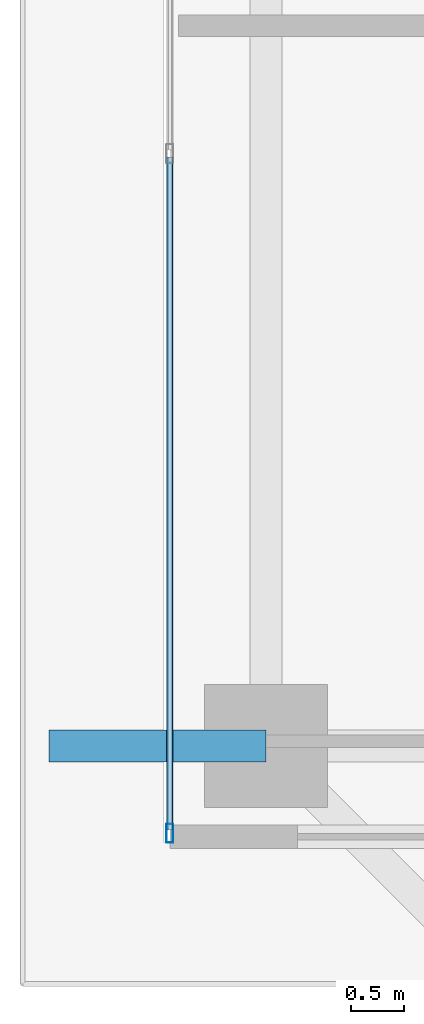
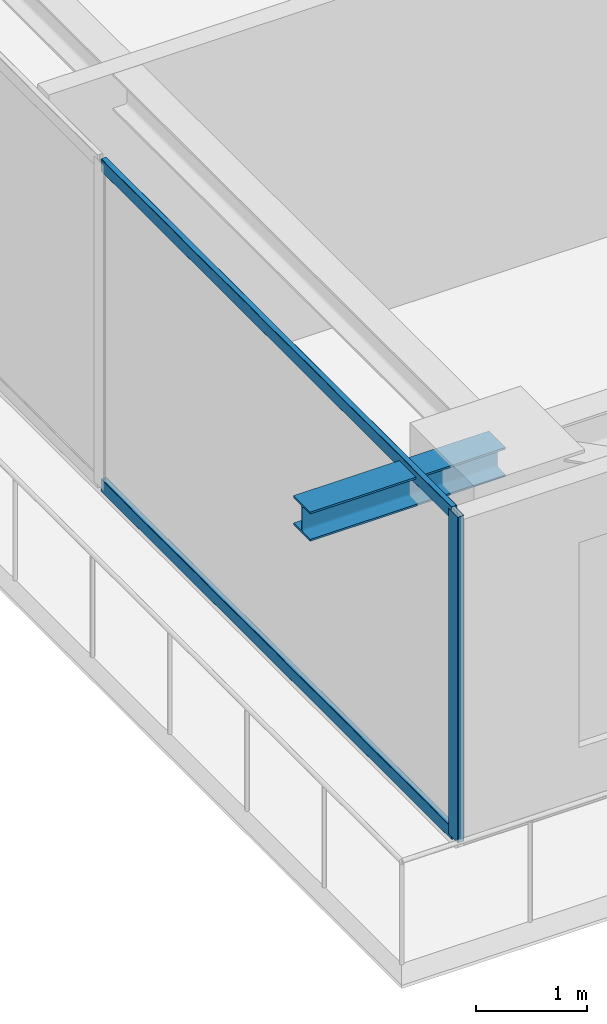
# One storey, part 3 of 37: 3 members, 1 beam, 1 element without a shape of its own.
"""IFC4 building model written with IfcOpenShell, lengths in metres."""

from ifc_helpers import new_model, si_unit, direction, frame, origin, origin_2d, place, context, subcontext, project, spatial, hollow_rectangle, i_section, extrude, source, transform, mapped, material, layer, layer_set, material_profile, profile_set, type_object, element, aggregate, save


model = new_model("IFC4")

# Units and contexts
model_context = context("Model", 3, precision=1e-05, world=origin(), true_north=direction((0.0, 1.0)))
body_context = subcontext(model_context, "Body", "Model", "MODEL_VIEW")
ifc_project = project(units=[si_unit("LENGTHUNIT", "METRE"), si_unit("AREAUNIT", "SQUARE_METRE"), si_unit("VOLUMEUNIT", "CUBIC_METRE"), si_unit("PLANEANGLEUNIT", "RADIAN"), si_unit("MASSUNIT", "GRAM", prefix="KILO")], contexts=[model_context])

# Site, building, storey
site_placement = place(None, origin())
site = spatial("IfcSite", under=ifc_project, at=site_placement, CompositionType="ELEMENT")
building_placement = place(site_placement, origin())
building = spatial("IfcBuilding", under=site, at=building_placement, Name="Serunith Strait Residences", CompositionType="ELEMENT")
storey_placement = place(building_placement, frame((0.0, 0.0, 260.5)))
storey = spatial("IfcBuildingStorey", under=building, at=storey_placement, Name="L65", CompositionType="ELEMENT", Elevation=260.5)

# Beam
ifc_material_1 = material(Name="Steel S355J2", Category="steel")
ifc_material_profile_1 = material_profile(ifc_material_1, i_section(OverallWidth=0.300048828125, OverallDepth=0.320068359375, WebThickness=0.011474609375, FlangeThickness=0.0205078125, FilletRadius=0.027099609375, at=origin_2d()), Name="HEB 320")
ifc_profile_set_1 = profile_set([ifc_material_profile_1], Name="Steel S355J2")
beam_type = type_object("IfcBeamType", Name="BM-HEB320", PredefinedType="BEAM", material=ifc_profile_set_1)
shared_shape_1 = source(origin(), body_context, "Body", "SweptSolid", [
    extrude(i_section(OverallWidth=0.300048828125, OverallDepth=0.320068359375, WebThickness=0.011474609375, FlangeThickness=0.0205078125, FilletRadius=0.027099609375, at=origin_2d()), origin(), (0.0, 0.0, 1.0), 2.030029296875),
])
beam_placement = place(storey_placement, frame((8.300048828125, 10.050048828125, 3.39697265625), z_axis=(-1.0, 0.0, 0.0), x_axis=(0.0, -1.0, 0.0)))
element("IfcBeam", 1, at=beam_placement, inside=storey, type_object=beam_type, Name="L66 Cantilevered Balcony Rib TC-W1", PredefinedType="BEAM", context=body_context, shape_type="MappedRepresentation", body=[
    mapped(shared_shape_1, transform((0.0, 0.0, 0.0), scale=1.0)),
])

# Curtain wall, members
ifc_material_2 = material(Name="Pale-Champagne Anodised Aluminium", Category="aluminium")
ifc_layer = layer(ifc_material_2, 0.199951171875, Name="Pale-Champagne Anodised Aluminium")
ifc_layer_set = layer_set([ifc_layer], Name="Pale-Champagne Anodised Aluminium")
curtain_wall_type = type_object("IfcCurtainWallType", Name="CW-SYS4", PredefinedType="NOTDEFINED", material=ifc_layer_set)
curtain_wall_placement = place(storey_placement, origin())
curtain_wall = element("IfcCurtainWall", 2, at=curtain_wall_placement, inside=storey, type_object=curtain_wall_type, Name="L65 W Unitised Fritted Curtain Wall", PredefinedType="NOTDEFINED")
ifc_material_profile_2 = material_profile(ifc_material_2, hollow_rectangle(XDim=0.06494140625, YDim=0.179931640625, WallThickness=0.00341796875, InnerFilletRadius=0.00537109375, OuterFilletRadius=0.0087890625, at=origin_2d()), Name="ALU 180x65x3.5")
ifc_profile_set_2 = profile_set([ifc_material_profile_2], Name="Pale-Champagne Anodised Aluminium")
member_type_1 = type_object("IfcMemberType", Name="CW-SYS4-MULL", PredefinedType="MULLION", material=ifc_profile_set_2)
shared_shape_2 = source(origin(), body_context, "Body", "SweptSolid", [
    extrude(hollow_rectangle(XDim=0.06494140625, YDim=0.179931640625, WallThickness=0.00341796875, InnerFilletRadius=0.00537109375, OuterFilletRadius=0.0087890625, at=origin_2d()), origin(), (0.0, 0.0, 1.0), 3.574951171875),
])
member_1_placement = place(storey_placement, frame((7.39990234375, 9.232421875, 0.0), z_axis=(0.0, 0.0, 1.0), x_axis=(1.0, 0.0, 0.0)))
member_1 = element("IfcMember", 3, at=member_1_placement, type_object=member_type_1, Name="CW-4 mullion 6", PredefinedType="MULLION", context=body_context, shape_type="MappedRepresentation", body=[
    mapped(shared_shape_2, transform((0.0, 0.0, 0.0), scale=1.0)),
])
ifc_material_profile_3 = material_profile(ifc_material_2, hollow_rectangle(XDim=0.06005859375, YDim=0.139892578125, WallThickness=0.00341796875, InnerFilletRadius=0.00537109375, OuterFilletRadius=0.0087890625, at=origin_2d()), Name="ALU 140x60x3.5")
ifc_profile_set_3 = profile_set([ifc_material_profile_3], Name="Pale-Champagne Anodised Aluminium")
member_type_2 = type_object("IfcMemberType", Name="CW-SYS4-TRAN", PredefinedType="USERDEFINED", material=ifc_profile_set_3)
shared_shape_3 = source(origin(), body_context, "Body", "SweptSolid", [
    extrude(hollow_rectangle(XDim=0.06005859375, YDim=0.139892578125, WallThickness=0.00341796875, InnerFilletRadius=0.00537109375, OuterFilletRadius=0.0087890625, at=origin_2d()), origin(), (0.0, 0.0, 1.0), 6.302490234375),
])
member_2_placement = place(storey_placement, frame((7.39990234375, 15.5673828125, 0.030029296875), z_axis=(0.0, -1.0, 0.0), x_axis=(1.0, 0.0, 0.0)))
member_2 = element("IfcMember", 4, at=member_2_placement, type_object=member_type_2, Name="CW-4 transom 5.1", ObjectType="TRANSOM", PredefinedType="USERDEFINED", context=body_context, shape_type="MappedRepresentation", body=[
    mapped(shared_shape_3, transform((0.0, 0.0, 0.0), scale=1.0)),
])
member_3_placement = place(storey_placement, frame((7.39990234375, 15.5673828125, 3.544921875), z_axis=(0.0, -1.0, 0.0), x_axis=(1.0, 0.0, 0.0)))
member_3 = element("IfcMember", 5, at=member_3_placement, type_object=member_type_2, Name="CW-4 transom 5.2", ObjectType="TRANSOM", PredefinedType="USERDEFINED", context=body_context, shape_type="MappedRepresentation", body=[
    mapped(shared_shape_3, transform((0.0, 0.0, 0.0), scale=1.0)),
])
aggregate(curtain_wall, [member_1, member_2, member_3])

save(model, "model.ifc")
